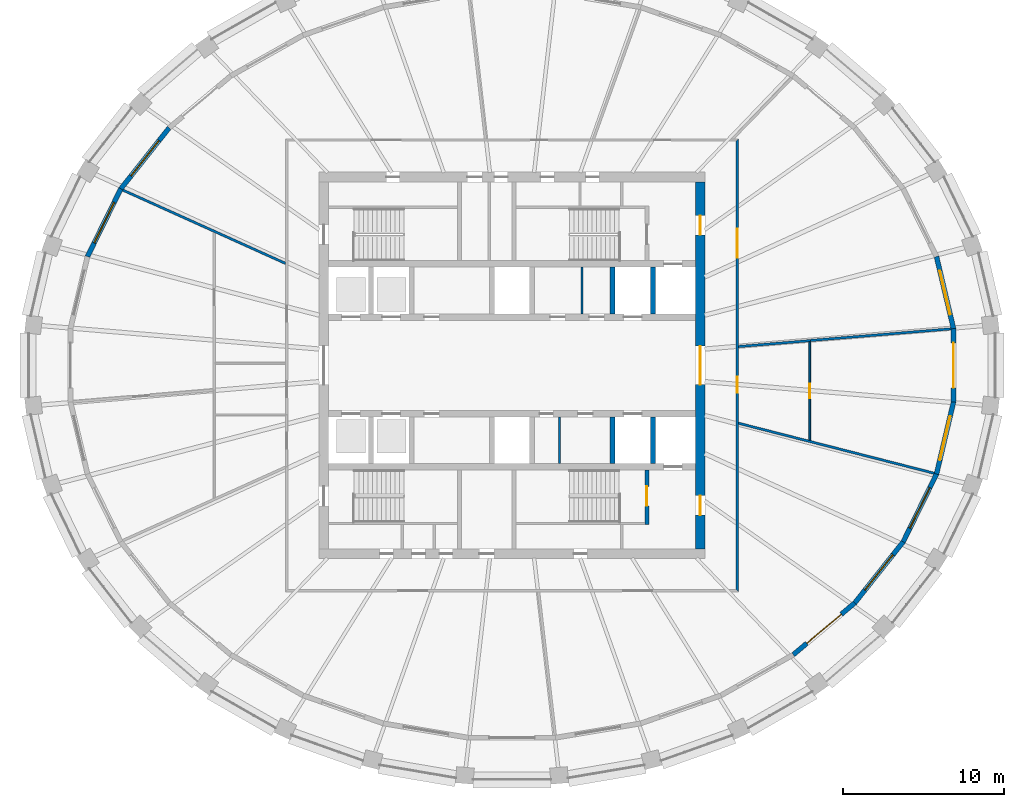
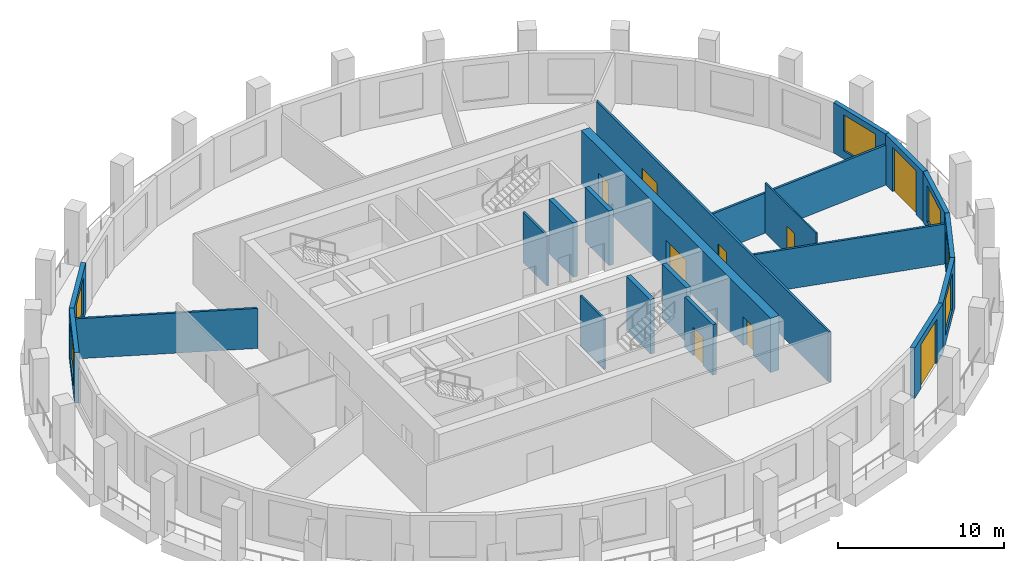
# One storey, part 5 of 10: 22 walls, 9 doors, 6 windows, 15 openings.
"""IFC4 building model written with IfcOpenShell, lengths in metres."""

from ifc_helpers import new_model, si_unit, direction, frame, frame_2d, origin, place, context, subcontext, project, spatial, polyline, rectangle, outline, extrude, material, layer, layer_set, type_object, element, fill, save


model = new_model("IFC4")

# Units and contexts
model_context = context("Model", 3, precision=1e-05, world=origin(), true_north=direction((0.0, 1.0)))
body_context = subcontext(model_context, "Body", "Model", "MODEL_VIEW")
ifc_project = project(units=[si_unit("LENGTHUNIT", "METRE"), si_unit("AREAUNIT", "SQUARE_METRE"), si_unit("VOLUMEUNIT", "CUBIC_METRE"), si_unit("PLANEANGLEUNIT", "RADIAN"), si_unit("MASSUNIT", "GRAM", prefix="KILO")], contexts=[model_context])

# Site, building, storey
site_placement = place(None, origin())
site = spatial("IfcSite", under=ifc_project, at=site_placement, CompositionType="ELEMENT")
building_placement = place(site_placement, origin())
building = spatial("IfcBuilding", under=site, at=building_placement, Name="Halqa Exchange Tower", CompositionType="ELEMENT")
storey_placement = place(building_placement, frame((0.0, 0.0, 264.300048828125)))
storey = spatial("IfcBuildingStorey", under=building, at=storey_placement, Name="L61", CompositionType="ELEMENT", Elevation=264.300048828125)

# Wall
ifc_material_1 = material(Name="Fire-rated gypsum board")
ifc_layer_1 = layer(ifc_material_1, 0.14990234375)
ifc_layer_set_1 = layer_set([ifc_layer_1], Name="Fire-rated gypsum board")
wall_type_1 = type_object("IfcWallType", Name="Fire partition EI 60 150", PredefinedType="PARTITIONING", material=ifc_layer_set_1)
wall_1_placement = place(storey_placement, frame((-24.17626953125, 10.88671875, 0.0), z_axis=(0.0, 0.0, 1.0), x_axis=(0.911671004153, -0.410920892857, 0.0)))
element("IfcWall", 1, at=wall_1_placement, inside=storey, type_object=wall_type_1, Name="L61-PWL-002", PredefinedType="PARTITIONING", context=body_context, shape_type="SweptSolid", body=[
    extrude(outline(polyline([(0.0, -0.074951171875), (1.583984375, -0.074951171875), (3.167724609375, -0.074951171875), (4.751708984375, -0.074951171875), (6.33544921875, -0.074951171875), (6.341064453125, -0.072509765625), (6.34228515625, -0.074951171875), (7.9326171875, -0.074951171875), (9.52294921875, -0.074951171875), (11.11328125, -0.074951171875), (11.11328125, -0.073974609375), (11.09716796875, -0.038330078125), (11.09716796875, -0.038330078125), (11.046142578125, 0.074951171875), (9.20849609375, 0.074951171875), (7.37109375, 0.074951171875), (5.533447265625, 0.074951171875), (3.69580078125, 0.074951171875), (1.8583984375, 0.074951171875), (0.020751953125, 0.074951171875), (0.002197265625, 0.0009765625), (0.0, -0.0625), (0.0, -0.074951171875)])), origin(), (0.0, 0.0, 1.0), 2.947021484375),
])

# Wall, openings, doors
wall_2_placement = place(storey_placement, frame((14.0, -14.074951171875, 0.0), z_axis=(0.0, 0.0, 1.0), x_axis=(0.0, 1.0, 0.0)))
wall_2 = element("IfcWall", 2, at=wall_2_placement, inside=storey, type_object=wall_type_1, Name="L61-PWL-017", PredefinedType="PARTITIONING", context=body_context, shape_type="SweptSolid", body=[
    extrude(outline(polyline([(0.0, -0.074951171875), (1.876708984375, -0.074951171875), (3.75341796875, -0.074951171875), (5.6298828125, -0.074951171875), (7.506591796875, -0.074951171875), (9.38330078125, -0.074951171875), (11.260009765625, -0.074951171875), (13.13671875, -0.074951171875), (15.01318359375, -0.074951171875), (16.889892578125, -0.074951171875), (18.7666015625, -0.074951171875), (20.643310546875, -0.074951171875), (22.52001953125, -0.074951171875), (24.396484375, -0.074951171875), (26.273193359375, -0.074951171875), (28.14990234375, -0.074951171875), (28.0, 0.074951171875), (26.0107421875, 0.074951171875), (24.021484375, 0.074951171875), (22.0322265625, 0.074951171875), (20.042724609375, 0.074951171875), (18.053466796875, 0.074951171875), (16.064208984375, 0.074951171875), (14.074951171875, 0.074951171875), (12.085693359375, 0.074951171875), (10.096435546875, 0.074951171875), (8.107177734375, 0.074951171875), (6.11767578125, 0.074951171875), (4.12841796875, 0.074951171875), (2.13916015625, 0.074951171875), (0.14990234375, 0.074951171875), (0.0, -0.074951171875)])), origin(), (0.0, 0.0, 1.0), 3.699951171875),
])
opening_1_placement = place(wall_2_placement, frame((12.364990234375, 0.0, 0.0)))
opening_1 = element("IfcOpeningElement", 3, at=opening_1_placement, cuts=wall_2, Name="Opening 18-02", PredefinedType="OPENING", context=body_context, shape_type="SweptSolid", body=[
    extrude(rectangle(XDim=1.0, YDim=2.10009765625, at=frame_2d((0.5, 1.050048828125))), frame((0.0, 0.0869140625, 0.0), z_axis=(0.0, -1.0, 0.0), x_axis=(1.0, 0.0, 0.0)), (0.0, 0.0, 1.0), 0.173828125),
])
opening_2_placement = place(wall_2_placement, frame((20.7548828125, 0.0, 0.0)))
opening_2 = element("IfcOpeningElement", 4, at=opening_2_placement, cuts=wall_2, Name="Opening 18-03", PredefinedType="OPENING", context=body_context, shape_type="SweptSolid", body=[
    extrude(rectangle(XDim=1.800048828125, YDim=2.10009765625, at=frame_2d((0.89990234375, 1.050048828125))), frame((0.0, 0.0869140625, 0.0), z_axis=(0.0, -1.0, 0.0), x_axis=(1.0, 0.0, 0.0)), (0.0, 0.0, 1.0), 0.173828125),
])
ifc_material_2 = material(Name="Steel fire door leaf", Category="steel")
door_type_1 = type_object("IfcDoorType", Name="Fire door FD30S 1000 x 2100", OperationType="SINGLE_SWING_LEFT", PredefinedType="DOOR", material=ifc_material_2)
door_1_placement = place(opening_1_placement, frame((1.0, 0.0, 0.0), z_axis=(0.0, 0.0, 1.0), x_axis=(-1.0, 0.0, 0.0)))
door_1 = element("IfcDoor", 5, at=door_1_placement, inside=storey, type_object=door_type_1, Name="L61-IDR-002", OperationType="SINGLE_SWING_RIGHT", OverallHeight=2.10009765625, OverallWidth=1.0, PredefinedType="DOOR", context=body_context, shape_type="SweptSolid", body=[
    extrude(rectangle(XDim=1.0, YDim=2.10009765625, at=frame_2d((0.5, 1.050048828125))), frame((0.0, 0.02490234375, 0.0), z_axis=(0.0, -1.0, 0.0), x_axis=(1.0, 0.0, 0.0)), (0.0, 0.0, 1.0), 0.050048828125),
])
fill(opening_1, door_1)
door_type_2 = type_object("IfcDoorType", Name="Fire door FD30S double 1800 x 2100", OperationType="DOUBLE_DOOR_SINGLE_SWING", PredefinedType="DOOR", material=ifc_material_2)
door_2_placement = place(opening_2_placement, frame((1.800048828125, 0.0, 0.0), z_axis=(0.0, 0.0, 1.0), x_axis=(-1.0, 0.0, 0.0)))
door_2 = element("IfcDoor", 6, at=door_2_placement, inside=storey, type_object=door_type_2, Name="L61-IDR-003", OperationType="DOUBLE_DOOR_SINGLE_SWING", OverallHeight=2.10009765625, OverallWidth=1.800048828125, PredefinedType="DOOR", context=body_context, shape_type="SweptSolid", body=[
    extrude(rectangle(XDim=1.800048828125, YDim=2.10009765625, at=frame_2d((0.89990234375, 1.050048828125))), frame((0.0, 0.02490234375, 0.0), z_axis=(0.0, -1.0, 0.0), x_axis=(1.0, 0.0, 0.0)), (0.0, 0.0, 1.0), 0.050048828125),
])
fill(opening_2, door_2)

# Walls
wall_3_placement = place(storey_placement, frame((14.056640625, -3.594482421875, 0.0), z_axis=(0.0, 0.0, 1.0), x_axis=(0.968853358083, -0.24763515609, 0.0)))
element("IfcWall", 7, at=wall_3_placement, inside=storey, type_object=wall_type_1, Name="L61-PWL-018", PredefinedType="PARTITIONING", context=body_context, shape_type="SweptSolid", body=[
    extrude(outline(polyline([(0.0380859375, -0.074951171875), (1.8251953125, -0.074951171875), (3.612548828125, -0.074951171875), (5.399658203125, -0.074951171875), (7.186767578125, -0.074951171875), (8.973876953125, -0.074951171875), (10.76123046875, -0.074951171875), (12.54833984375, -0.074951171875), (12.563232421875, -0.003662109375), (12.563232421875, 0.066162109375), (12.56298828125, 0.074951171875), (10.768310546875, 0.074951171875), (8.9736328125, 0.074951171875), (7.178955078125, 0.074951171875), (5.38427734375, 0.074951171875), (3.58935546875, 0.074951171875), (1.794677734375, 0.074951171875), (0.0, 0.074951171875), (0.0, 0.07421875), (0.0380859375, -0.074951171875)])), origin(), (0.0, 0.0, 1.0), 2.947021484375),
])
wall_4_placement = place(storey_placement, frame((14.0693359375, 1.165771484375, 0.0), z_axis=(0.0, 0.0, 1.0), x_axis=(0.996636539938, 0.081948808782, 0.0)))
element("IfcWall", 8, at=wall_4_placement, inside=storey, type_object=wall_type_1, Name="L61-PWL-019", PredefinedType="PARTITIONING", context=body_context, shape_type="SweptSolid", body=[
    extrude(outline(polyline([(4.49560546875, -0.074951171875), (4.49560546875, -0.0029296875), (4.49560546875, 0.074951171875), (3.0009765625, 0.074951171875), (1.50634765625, 0.074951171875), (0.011962890625, 0.074951171875), (0.0, -0.069091796875), (0.0, -0.074951171875), (1.49853515625, -0.074951171875), (2.9970703125, -0.074951171875), (4.49560546875, -0.074951171875)])), origin(), (0.0, 0.0, 1.0), 2.947021484375),
])
wall_5_placement = place(storey_placement, frame((18.549072265625, 1.5439453125, 0.0), z_axis=(0.0, 0.0, 1.0), x_axis=(0.996604371019, 0.082339101686, 0.0)))
element("IfcWall", 9, at=wall_5_placement, inside=storey, type_object=wall_type_1, Name="L61-PWL-020", PredefinedType="PARTITIONING", context=body_context, shape_type="SweptSolid", body=[
    extrude(outline(polyline([(8.7529296875, -0.074951171875), (8.7529296875, 0.0390625), (8.74755859375, 0.074951171875), (6.998046875, 0.074951171875), (5.24853515625, 0.074951171875), (3.4990234375, 0.074951171875), (1.74951171875, 0.074951171875), (0.0, 0.074951171875), (0.0, -0.074951171875), (1.75048828125, -0.074951171875), (3.501220703125, -0.074951171875), (5.251708984375, -0.074951171875), (7.00244140625, -0.074951171875), (8.7529296875, -0.074951171875)])), origin(), (0.0, 0.0, 1.0), 2.947021484375),
])

# Wall, opening, door
ifc_material_3 = material(Name="Gypsum board")
ifc_layer_2 = layer(ifc_material_3, 0.10009765625)
ifc_layer_set_2 = layer_set([ifc_layer_2], Name="Gypsum board")
wall_type_2 = type_object("IfcWallType", Name="Partition 100 gypsum", PredefinedType="PARTITIONING", material=ifc_layer_set_2)
wall_6_placement = place(storey_placement, frame((18.5, 1.45849609375, 0.0), z_axis=(0.0, 0.0, 1.0), x_axis=(0.0, -1.0, 0.0)))
wall_6 = element("IfcWall", 10, at=wall_6_placement, inside=storey, type_object=wall_type_2, Name="L61-PWL-021", PredefinedType="PARTITIONING", context=body_context, shape_type="SweptSolid", body=[
    extrude(outline(polyline([(0.0078125, -0.050048828125), (1.530517578125, -0.050048828125), (3.05322265625, -0.050048828125), (4.575927734375, -0.050048828125), (6.098388671875, -0.050048828125), (6.1240234375, 0.050048828125), (6.1240234375, 0.050048828125), (4.593017578125, 0.050048828125), (3.06201171875, 0.050048828125), (1.531005859375, 0.050048828125), (0.0, 0.050048828125), (0.0, 0.046142578125), (0.0078125, -0.050048828125)])), origin(), (0.0, 0.0, 1.0), 3.699951171875),
])
opening_3_placement = place(wall_6_placement, frame((2.6083984375, 0.0, 0.0)))
opening_3 = element("IfcOpeningElement", 11, at=opening_3_placement, cuts=wall_6, Name="Opening 18-11", PredefinedType="OPENING", context=body_context, shape_type="SweptSolid", body=[
    extrude(rectangle(XDim=0.89990234375, YDim=2.10009765625, at=frame_2d((0.449951171875, 1.050048828125))), frame((0.0, 0.06201171875, 0.0), z_axis=(0.0, -1.0, 0.0), x_axis=(1.0, 0.0, 0.0)), (0.0, 0.0, 1.0), 0.1240234375),
])
ifc_material_4 = material(Name="Timber door leaf", Category="wood")
door_type_3 = type_object("IfcDoorType", Name="Door 900 x 2100", OperationType="SINGLE_SWING_LEFT", PredefinedType="DOOR", material=ifc_material_4)
door_3_placement = place(opening_3_placement, frame((0.89990234375, 0.0, 0.0), z_axis=(0.0, 0.0, 1.0), x_axis=(-1.0, 0.0, 0.0)))
door_3 = element("IfcDoor", 12, at=door_3_placement, inside=storey, type_object=door_type_3, Name="L61-IDR-011", OperationType="SINGLE_SWING_LEFT", OverallHeight=2.10009765625, OverallWidth=0.89990234375, PredefinedType="DOOR", context=body_context, shape_type="SweptSolid", body=[
    extrude(rectangle(XDim=0.89990234375, YDim=2.10009765625, at=frame_2d((0.449951171875, 1.050048828125))), frame((0.0, 0.02490234375, 0.0), z_axis=(0.0, -1.0, 0.0), x_axis=(1.0, 0.0, 0.0)), (0.0, 0.0, 1.0), 0.050048828125),
])
fill(opening_3, door_3)

# Walls
ifc_layer_3 = layer(ifc_material_3, 0.14990234375)
ifc_layer_set_3 = layer_set([ifc_layer_3], Name="Gypsum board")
wall_type_3 = type_object("IfcWallType", Name="Penthouse riser wall 150 gypsum", PredefinedType="PARTITIONING", material=ifc_layer_set_3)
for number, where, z_axis, x_axis, name in (
    (13, (4.35009765625, 3.199951171875, 0.0), (0.0, 0.0, 1.0), (0.0, 1.0, 0.0), "Freed bay partition NE4.350"),
    (14, (2.949951171875, -6.10009765625, 0.0), (0.0, 0.0, 1.0), (0.0, 1.0, 0.0), "Freed bay partition SE2.950"),
):
    element("IfcWall", number, at=place(storey_placement, frame(where, z_axis=z_axis, x_axis=x_axis)), inside=storey, type_object=wall_type_3, Name=name, PredefinedType="PARTITIONING", context=body_context, shape_type="SweptSolid", body=[
        extrude(rectangle(XDim=2.900146484375, YDim=0.14990234375, at=frame_2d((1.4501953125, 0.0))), origin(), (0.0, 0.0, 1.0), 3.699951171875),
    ])
ifc_material_5 = material(Name="Concrete C60/75", Category="concrete")
ifc_layer_4 = layer(ifc_material_5, 0.300048828125)
ifc_layer_set_4 = layer_set([ifc_layer_4], Name="Concrete C60/75")
wall_type_4 = type_object("IfcWallType", Name="RC core wall 300", PredefinedType="SHEAR", material=ifc_layer_set_4)
for number, where, z_axis, x_axis, name in (
    (15, (6.25, 3.199951171875, 0.0), (0.0, 0.0, 1.0), (0.0, 1.0, 0.0), "Shaft divider N7"),
    (16, (8.75, 3.199951171875, 0.0), (0.0, 0.0, 1.0), (0.0, 1.0, 0.0), "Shaft divider N8"),
    (17, (6.25, -6.10009765625, 0.0), (0.0, 0.0, 1.0), (0.0, 1.0, 0.0), "Shaft divider S7"),
    (18, (8.75, -6.10009765625, 0.0), (0.0, 0.0, 1.0), (0.0, 1.0, 0.0), "Shaft divider S8"),
):
    element("IfcWall", number, at=place(storey_placement, frame(where, z_axis=z_axis, x_axis=x_axis)), inside=storey, type_object=wall_type_4, Name=name, PredefinedType="SHEAR", context=body_context, shape_type="SweptSolid", body=[
        extrude(rectangle(XDim=2.900146484375, YDim=0.300048828125, at=frame_2d((1.4501953125, 0.0))), origin(), (0.0, 0.0, 1.0), 4.0),
    ])

# Wall, openings, doors
ifc_layer_5 = layer(ifc_material_5, 0.60009765625)
ifc_layer_set_5 = layer_set([ifc_layer_5], Name="Concrete C60/75")
wall_type_5 = type_object("IfcWallType", Name="RC core wall 600 C60/75", PredefinedType="SHEAR", material=ifc_layer_set_5)
wall_7_placement = place(storey_placement, frame((11.699951171875, -11.39990234375, 0.0), z_axis=(0.0, 0.0, 1.0), x_axis=(0.0, 1.0, 0.0)))
wall_7 = element("IfcWall", 19, at=wall_7_placement, inside=storey, type_object=wall_type_5, Name="Core wall east", PredefinedType="SHEAR", context=body_context, shape_type="SweptSolid", body=[
    extrude(rectangle(XDim=22.7998046875, YDim=0.60009765625, at=frame_2d((11.39990234375, 0.0))), origin(), (0.0, 0.0, 1.0), 4.0),
])
opening_4_placement = place(wall_7_placement, frame((10.199951171875, 0.0, 0.0)))
opening_4 = element("IfcOpeningElement", 20, at=opening_4_placement, cuts=wall_7, Name="Opening T18-C10", PredefinedType="OPENING", context=body_context, shape_type="SweptSolid", body=[
    extrude(rectangle(XDim=2.39990234375, YDim=2.10009765625, at=frame_2d((1.199951171875, 1.050048828125))), frame((0.0, 0.31201171875, 0.0), z_axis=(0.0, -1.0, 0.0), x_axis=(1.0, 0.0, 0.0)), (0.0, 0.0, 1.0), 0.6240234375),
])
opening_5_placement = place(wall_7_placement, frame((19.5, 0.0, 0.0)))
opening_5 = element("IfcOpeningElement", 21, at=opening_5_placement, cuts=wall_7, Name="Opening T18-C15", PredefinedType="OPENING", context=body_context, shape_type="SweptSolid", body=[
    extrude(rectangle(XDim=1.199951171875, YDim=2.10009765625, at=frame_2d((0.60009765625, 1.050048828125))), frame((0.0, 0.31201171875, 0.0), z_axis=(0.0, -1.0, 0.0), x_axis=(1.0, 0.0, 0.0)), (0.0, 0.0, 1.0), 0.6240234375),
])
opening_6_placement = place(wall_7_placement, frame((2.10009765625, 0.0, 0.0)))
opening_6 = element("IfcOpeningElement", 22, at=opening_6_placement, cuts=wall_7, Name="Opening T18-C16", PredefinedType="OPENING", context=body_context, shape_type="SweptSolid", body=[
    extrude(rectangle(XDim=1.199951171875, YDim=2.10009765625, at=frame_2d((0.60009765625, 1.050048828125))), frame((0.0, 0.31201171875, 0.0), z_axis=(0.0, -1.0, 0.0), x_axis=(1.0, 0.0, 0.0)), (0.0, 0.0, 1.0), 0.6240234375),
])
door_type_4 = type_object("IfcDoorType", Name="Firefighting lobby door FD90 1200 x 2100", OperationType="SINGLE_SWING_RIGHT", PredefinedType="DOOR", material=ifc_material_2)
door_4_placement = place(opening_5_placement, origin())
door_4 = element("IfcDoor", 23, at=door_4_placement, inside=storey, type_object=door_type_4, Name="Firefighting lobby door", OperationType="SINGLE_SWING_RIGHT", OverallHeight=2.10009765625, OverallWidth=1.199951171875, PredefinedType="DOOR", context=body_context, shape_type="SweptSolid", body=[
    extrude(rectangle(XDim=1.199951171875, YDim=2.10009765625, at=frame_2d((0.60009765625, 1.050048828125))), frame((0.0, 0.02490234375, 0.0), z_axis=(0.0, -1.0, 0.0), x_axis=(1.0, 0.0, 0.0)), (0.0, 0.0, 1.0), 0.050048828125),
])
fill(opening_5, door_4)
door_5_placement = place(opening_6_placement, origin())
door_5 = element("IfcDoor", 24, at=door_5_placement, inside=storey, type_object=door_type_4, Name="Firefighting lobby door", OperationType="SINGLE_SWING_LEFT", OverallHeight=2.10009765625, OverallWidth=1.199951171875, PredefinedType="DOOR", context=body_context, shape_type="SweptSolid", body=[
    extrude(rectangle(XDim=1.199951171875, YDim=2.10009765625, at=frame_2d((0.60009765625, 1.050048828125))), frame((0.0, 0.02490234375, 0.0), z_axis=(0.0, -1.0, 0.0), x_axis=(1.0, 0.0, 0.0)), (0.0, 0.0, 1.0), 0.050048828125),
])
fill(opening_6, door_5)
door_type_5 = type_object("IfcDoorType", Name="Lobby double door FD60 2400 x 2100", OperationType="DOUBLE_DOOR_SINGLE_SWING", PredefinedType="DOOR", material=ifc_material_2)
door_6_placement = place(opening_4_placement, origin())
door_6 = element("IfcDoor", 25, at=door_6_placement, inside=storey, type_object=door_type_5, Name="Lift lobby double door", OperationType="DOUBLE_DOOR_SINGLE_SWING", OverallHeight=2.10009765625, OverallWidth=2.39990234375, PredefinedType="DOOR", context=body_context, shape_type="SweptSolid", body=[
    extrude(rectangle(XDim=2.39990234375, YDim=2.10009765625, at=frame_2d((1.199951171875, 1.050048828125))), frame((0.0, 0.02490234375, 0.0), z_axis=(0.0, -1.0, 0.0), x_axis=(1.0, 0.0, 0.0)), (0.0, 0.0, 1.0), 0.050048828125),
])
fill(opening_4, door_6)

# Wall, opening, door
ifc_material_6 = material(Name="Concrete C30/37", Category="concrete")
ifc_layer_6 = layer(ifc_material_6, 0.25)
ifc_layer_set_6 = layer_set([ifc_layer_6], Name="Concrete C30/37")
wall_type_6 = type_object("IfcWallType", Name="RC stair wall 250 C30/37", PredefinedType="SHEAR", material=ifc_layer_set_6)
wall_8_placement = place(storey_placement, frame((8.375, -9.89990234375, 0.0), z_axis=(0.0, 0.0, 1.0), x_axis=(0.0, 1.0, 0.0)))
wall_8 = element("IfcWall", 26, at=wall_8_placement, inside=storey, type_object=wall_type_6, Name="Stair ST2 east wall S", PredefinedType="SHEAR", context=body_context, shape_type="SweptSolid", body=[
    extrude(rectangle(XDim=3.39990234375, YDim=0.25, at=frame_2d((1.699951171875, 0.0))), origin(), (0.0, 0.0, 1.0), 3.699951171875),
])
opening_7_placement = place(wall_8_placement, frame((1.175048828125, 0.0, 0.0)))
opening_7 = element("IfcOpeningElement", 27, at=opening_7_placement, cuts=wall_8, Name="Opening T18-C14", PredefinedType="OPENING", context=body_context, shape_type="SweptSolid", body=[
    extrude(rectangle(XDim=1.199951171875, YDim=2.10009765625, at=frame_2d((0.60009765625, 1.050048828125))), frame((0.0, 0.136962890625, 0.0), z_axis=(0.0, -1.0, 0.0), x_axis=(1.0, 0.0, 0.0)), (0.0, 0.0, 1.0), 0.27392578125),
])
door_type_6 = type_object("IfcDoorType", Name="Stair door FD90 1200 x 2100", OperationType="SINGLE_SWING_LEFT", PredefinedType="DOOR", material=ifc_material_2)
door_7_placement = place(opening_7_placement, origin())
door_7 = element("IfcDoor", 28, at=door_7_placement, inside=storey, type_object=door_type_6, Name="Stair door ST4", OperationType="SINGLE_SWING_RIGHT", OverallHeight=2.10009765625, OverallWidth=1.199951171875, PredefinedType="DOOR", context=body_context, shape_type="SweptSolid", body=[
    extrude(rectangle(XDim=1.199951171875, YDim=2.10009765625, at=frame_2d((0.60009765625, 1.050048828125))), frame((0.0, 0.02490234375, 0.0), z_axis=(0.0, -1.0, 0.0), x_axis=(1.0, 0.0, 0.0)), (0.0, 0.0, 1.0), 0.050048828125),
])
fill(opening_7, door_7)

# Wall, opening, window
ifc_material_7 = material(Name="Limestone cladding", Category="masonry")
ifc_layer_7 = layer(ifc_material_7, 0.0400390625)
ifc_material_8 = material(Name="Ventilated cavity")
ifc_layer_8 = layer(ifc_material_8, 0.030029296875, ventilated=True)
ifc_material_9 = material(Name="Mineral wool insulation")
ifc_layer_9 = layer(ifc_material_9, 0.10009765625)
ifc_layer_10 = layer(ifc_material_6, 0.10009765625)
ifc_material_10 = material(Name="Internal plaster")
ifc_layer_11 = layer(ifc_material_10, 0.030029296875)
ifc_layer_set_7 = layer_set([ifc_layer_7, ifc_layer_8, ifc_layer_9, ifc_layer_10, ifc_layer_11], Name="Stone-faced insulated wall 300")
wall_type_7 = type_object("IfcWallType", Name="Stone-faced insulated wall 300", PredefinedType="STANDARD", material=ifc_layer_set_7)
wall_9_placement = place(storey_placement, frame((27.428466796875, 2.28125, 0.0), z_axis=(0.0, 0.0, 1.0), x_axis=(-0.229767529411, 0.973245540667, 0.0)))
wall_9 = element("IfcWall", 29, at=wall_9_placement, inside=storey, type_object=wall_type_7, Name="Glass-line wall 1", PredefinedType="STANDARD", context=body_context, shape_type="SweptSolid", body=[
    extrude(outline(polyline([(-0.017578125, -0.14990234375), (4.613525390625, -0.14990234375), (4.579833984375, 0.14990234375), (0.017578125, 0.14990234375), (-0.017578125, -0.14990234375)])), origin(), (0.0, 0.0, 1.0), 3.699951171875),
])
opening_8_placement = place(wall_9_placement, frame((0.8984375, 0.0, 0.60009765625)))
opening_8 = element("IfcOpeningElement", 30, at=opening_8_placement, cuts=wall_9, Name="Opening W-F4-01", PredefinedType="OPENING", context=body_context, shape_type="SweptSolid", body=[
    extrude(rectangle(XDim=2.800048828125, YDim=2.64990234375, at=frame_2d((1.39990234375, 1.324951171875))), frame((0.0, 0.162109375, 0.0), z_axis=(0.0, -1.0, 0.0), x_axis=(1.0, 0.0, 0.0)), (0.0, 0.0, 1.0), 0.323974609375),
])
ifc_material_11 = material(Name="Clear low-emissivity glass in aluminium frame", Category="aluminium")
window_type = type_object("IfcWindowType", Name="Fixed clear glazed window 2800 x 2650", PartitioningType="DOUBLE_PANEL_VERTICAL", PredefinedType="WINDOW", material=ifc_material_11)
window_1_placement = place(opening_8_placement, origin())
window_1 = element("IfcWindow", 31, at=window_1_placement, inside=storey, type_object=window_type, Name="Window 4", OverallHeight=2.64990234375, OverallWidth=2.800048828125, PartitioningType="DOUBLE_PANEL_VERTICAL", PredefinedType="WINDOW", context=body_context, shape_type="SweptSolid", body=[
    extrude(rectangle(XDim=2.800048828125, YDim=2.64990234375, at=frame_2d((1.39990234375, 1.324951171875))), frame((0.0, 0.030029296875, 0.0), z_axis=(0.0, -1.0, 0.0), x_axis=(1.0, 0.0, 0.0)), (0.0, 0.0, 1.0), 0.06005859375),
])
fill(opening_8, window_1)

wall_10_placement = place(storey_placement, frame((-21.296875, 14.756103515625, 0.0), z_axis=(0.0, 0.0, 1.0), x_axis=(-0.621358373565, -0.783526497063, 0.0)))
wall_10 = element("IfcWall", 32, at=wall_10_placement, inside=storey, type_object=wall_type_7, Name="Glass-line wall 13", PredefinedType="STANDARD", context=body_context, shape_type="SweptSolid", body=[
    extrude(outline(polyline([(-0.01513671875, -0.14990234375), (4.851806640625, -0.14990234375), (4.819580078125, 0.14990234375), (0.01513671875, 0.14990234375), (-0.01513671875, -0.14990234375)])), origin(), (0.0, 0.0, 1.0), 3.699951171875),
])
opening_9_placement = place(wall_10_placement, frame((1.017578125, 0.0, 0.60009765625)))
opening_9 = element("IfcOpeningElement", 33, at=opening_9_placement, cuts=wall_10, Name="Opening W-F4-13", PredefinedType="OPENING", context=body_context, shape_type="SweptSolid", body=[
    extrude(rectangle(XDim=2.800048828125, YDim=2.64990234375, at=frame_2d((1.39990234375, 1.324951171875))), frame((0.0, 0.162109375, 0.0), z_axis=(0.0, -1.0, 0.0), x_axis=(1.0, 0.0, 0.0)), (0.0, 0.0, 1.0), 0.323974609375),
])
window_2_placement = place(opening_9_placement, origin())
window_2 = element("IfcWindow", 34, at=window_2_placement, inside=storey, type_object=window_type, Name="Window 4", OverallHeight=2.64990234375, OverallWidth=2.800048828125, PartitioningType="DOUBLE_PANEL_VERTICAL", PredefinedType="WINDOW", context=body_context, shape_type="SweptSolid", body=[
    extrude(rectangle(XDim=2.800048828125, YDim=2.64990234375, at=frame_2d((1.39990234375, 1.324951171875))), frame((0.0, 0.030029296875, 0.0), z_axis=(0.0, -1.0, 0.0), x_axis=(1.0, 0.0, 0.0)), (0.0, 0.0, 1.0), 0.06005859375),
])
fill(opening_9, window_2)

wall_11_placement = place(storey_placement, frame((-24.301513671875, 10.96728515625, 0.0), z_axis=(0.0, 0.0, 1.0), x_axis=(-0.441169971308, -0.89742356578, 0.0)))
wall_11 = element("IfcWall", 35, at=wall_11_placement, inside=storey, type_object=wall_type_7, Name="Glass-line wall 14", PredefinedType="STANDARD", context=body_context, shape_type="SweptSolid", body=[
    extrude(outline(polyline([(-0.01611328125, -0.14990234375), (4.710693359375, -0.14990234375), (4.677001953125, 0.14990234375), (0.01611328125, 0.14990234375), (-0.01611328125, -0.14990234375)])), origin(), (0.0, 0.0, 1.0), 3.699951171875),
])
opening_10_placement = place(wall_11_placement, frame((0.947021484375, 0.0, 0.60009765625)))
opening_10 = element("IfcOpeningElement", 36, at=opening_10_placement, cuts=wall_11, Name="Opening W-F4-14", PredefinedType="OPENING", context=body_context, shape_type="SweptSolid", body=[
    extrude(rectangle(XDim=2.800048828125, YDim=2.64990234375, at=frame_2d((1.39990234375, 1.324951171875))), frame((0.0, 0.162109375, 0.0), z_axis=(0.0, -1.0, 0.0), x_axis=(1.0, 0.0, 0.0)), (0.0, 0.0, 1.0), 0.323974609375),
])
window_3_placement = place(opening_10_placement, origin())
window_3 = element("IfcWindow", 37, at=window_3_placement, inside=storey, type_object=window_type, Name="Window 4", OverallHeight=2.64990234375, OverallWidth=2.800048828125, PartitioningType="DOUBLE_PANEL_VERTICAL", PredefinedType="WINDOW", context=body_context, shape_type="SweptSolid", body=[
    extrude(rectangle(XDim=2.800048828125, YDim=2.64990234375, at=frame_2d((1.39990234375, 1.324951171875))), frame((0.0, 0.030029296875, 0.0), z_axis=(0.0, -1.0, 0.0), x_axis=(1.0, 0.0, 0.0)), (0.0, 0.0, 1.0), 0.06005859375),
])
fill(opening_10, window_3)

# Wall, opening, door
wall_12_placement = place(storey_placement, frame((17.474853515625, -17.976318359375, 0.0), z_axis=(0.0, 0.0, 1.0), x_axis=(0.764746492461, 0.644331283013, 0.0)))
wall_12 = element("IfcWall", 38, at=wall_12_placement, inside=storey, type_object=wall_type_7, Name="Glass-line wall 28", PredefinedType="STANDARD", context=body_context, shape_type="SweptSolid", body=[
    extrude(outline(polyline([(-0.01416015625, -0.14990234375), (5.012939453125, -0.14990234375), (4.982666015625, 0.14990234375), (0.01416015625, 0.14990234375), (-0.01416015625, -0.14990234375)])), origin(), (0.0, 0.0, 1.0), 3.699951171875),
])
opening_11_placement = place(wall_12_placement, frame((1.098876953125, 0.0, 0.0)))
opening_11 = element("IfcOpeningElement", 39, at=opening_11_placement, cuts=wall_12, Name="Opening LG-F4-07", PredefinedType="OPENING", context=body_context, shape_type="SweptSolid", body=[
    extrude(rectangle(XDim=2.800048828125, YDim=3.25, at=frame_2d((1.39990234375, 1.625))), frame((0.0, 0.162109375, 0.0), z_axis=(0.0, -1.0, 0.0), x_axis=(1.0, 0.0, 0.0)), (0.0, 0.0, 1.0), 0.323974609375),
])
door_type_7 = type_object("IfcDoorType", Name="Glazed sliding loggia door 2800 x 3250", OperationType="DOUBLE_DOOR_SLIDING", PredefinedType="DOOR", material=ifc_material_11)
door_8_placement = place(opening_11_placement, origin())
door_8 = element("IfcDoor", 40, at=door_8_placement, inside=storey, type_object=door_type_7, Name="Loggia door 7", OperationType="DOUBLE_DOOR_SLIDING", OverallHeight=3.25, OverallWidth=2.800048828125, PredefinedType="DOOR", context=body_context, shape_type="SweptSolid", body=[
    extrude(rectangle(XDim=2.800048828125, YDim=3.25, at=frame_2d((1.39990234375, 1.625))), frame((0.0, 0.02490234375, 0.0), z_axis=(0.0, -1.0, 0.0), x_axis=(1.0, 0.0, 0.0)), (0.0, 0.0, 1.0), 0.050048828125),
])
fill(opening_11, door_8)

# Wall, opening, window
wall_13_placement = place(storey_placement, frame((21.296875, -14.756103515625, 0.0), z_axis=(0.0, 0.0, 1.0), x_axis=(0.621358373565, 0.783526497063, 0.0)))
wall_13 = element("IfcWall", 41, at=wall_13_placement, inside=storey, type_object=wall_type_7, Name="Glass-line wall 29", PredefinedType="STANDARD", context=body_context, shape_type="SweptSolid", body=[
    extrude(outline(polyline([(-0.01513671875, -0.14990234375), (4.851806640625, -0.14990234375), (4.819580078125, 0.14990234375), (0.01513671875, 0.14990234375), (-0.01513671875, -0.14990234375)])), origin(), (0.0, 0.0, 1.0), 3.699951171875),
])
opening_12_placement = place(wall_13_placement, frame((1.017578125, 0.0, 0.60009765625)))
opening_12 = element("IfcOpeningElement", 42, at=opening_12_placement, cuts=wall_13, Name="Opening W-F4-29", PredefinedType="OPENING", context=body_context, shape_type="SweptSolid", body=[
    extrude(rectangle(XDim=2.800048828125, YDim=2.64990234375, at=frame_2d((1.39990234375, 1.324951171875))), frame((0.0, 0.162109375, 0.0), z_axis=(0.0, -1.0, 0.0), x_axis=(1.0, 0.0, 0.0)), (0.0, 0.0, 1.0), 0.323974609375),
])
window_4_placement = place(opening_12_placement, origin())
window_4 = element("IfcWindow", 43, at=window_4_placement, inside=storey, type_object=window_type, Name="Window 4", OverallHeight=2.64990234375, OverallWidth=2.800048828125, PartitioningType="DOUBLE_PANEL_VERTICAL", PredefinedType="WINDOW", context=body_context, shape_type="SweptSolid", body=[
    extrude(rectangle(XDim=2.800048828125, YDim=2.64990234375, at=frame_2d((1.39990234375, 1.324951171875))), frame((0.0, 0.030029296875, 0.0), z_axis=(0.0, -1.0, 0.0), x_axis=(1.0, 0.0, 0.0)), (0.0, 0.0, 1.0), 0.06005859375),
])
fill(opening_12, window_4)

wall_14_placement = place(storey_placement, frame((24.301513671875, -10.96728515625, 0.0), z_axis=(0.0, 0.0, 1.0), x_axis=(0.441169971308, 0.89742356578, 0.0)))
wall_14 = element("IfcWall", 44, at=wall_14_placement, inside=storey, type_object=wall_type_7, Name="Glass-line wall 30", PredefinedType="STANDARD", context=body_context, shape_type="SweptSolid", body=[
    extrude(outline(polyline([(-0.01611328125, -0.14990234375), (4.710693359375, -0.14990234375), (4.677001953125, 0.14990234375), (0.01611328125, 0.14990234375), (-0.01611328125, -0.14990234375)])), origin(), (0.0, 0.0, 1.0), 3.699951171875),
])
opening_13_placement = place(wall_14_placement, frame((0.947021484375, 0.0, 0.60009765625)))
opening_13 = element("IfcOpeningElement", 45, at=opening_13_placement, cuts=wall_14, Name="Opening W-F4-30", PredefinedType="OPENING", context=body_context, shape_type="SweptSolid", body=[
    extrude(rectangle(XDim=2.800048828125, YDim=2.64990234375, at=frame_2d((1.39990234375, 1.324951171875))), frame((0.0, 0.162109375, 0.0), z_axis=(0.0, -1.0, 0.0), x_axis=(1.0, 0.0, 0.0)), (0.0, 0.0, 1.0), 0.323974609375),
])
window_5_placement = place(opening_13_placement, origin())
window_5 = element("IfcWindow", 46, at=window_5_placement, inside=storey, type_object=window_type, Name="Window 4", OverallHeight=2.64990234375, OverallWidth=2.800048828125, PartitioningType="DOUBLE_PANEL_VERTICAL", PredefinedType="WINDOW", context=body_context, shape_type="SweptSolid", body=[
    extrude(rectangle(XDim=2.800048828125, YDim=2.64990234375, at=frame_2d((1.39990234375, 1.324951171875))), frame((0.0, 0.030029296875, 0.0), z_axis=(0.0, -1.0, 0.0), x_axis=(1.0, 0.0, 0.0)), (0.0, 0.0, 1.0), 0.06005859375),
])
fill(opening_13, window_5)

wall_15_placement = place(storey_placement, frame((26.372314453125, -6.7548828125, 0.0), z_axis=(0.0, 0.0, 1.0), x_axis=(0.229767529411, 0.973245540667, 0.0)))
wall_15 = element("IfcWall", 47, at=wall_15_placement, inside=storey, type_object=wall_type_7, Name="Glass-line wall 31", PredefinedType="STANDARD", context=body_context, shape_type="SweptSolid", body=[
    extrude(outline(polyline([(-0.016845703125, -0.14990234375), (4.6142578125, -0.14990234375), (4.5791015625, 0.14990234375), (0.016845703125, 0.14990234375), (-0.016845703125, -0.14990234375)])), origin(), (0.0, 0.0, 1.0), 3.699951171875),
])
opening_14_placement = place(wall_15_placement, frame((0.8984375, 0.0, 0.60009765625)))
opening_14 = element("IfcOpeningElement", 48, at=opening_14_placement, cuts=wall_15, Name="Opening W-F4-31", PredefinedType="OPENING", context=body_context, shape_type="SweptSolid", body=[
    extrude(rectangle(XDim=2.800048828125, YDim=2.64990234375, at=frame_2d((1.39990234375, 1.324951171875))), frame((0.0, 0.162109375, 0.0), z_axis=(0.0, -1.0, 0.0), x_axis=(1.0, 0.0, 0.0)), (0.0, 0.0, 1.0), 0.323974609375),
])
window_6_placement = place(opening_14_placement, origin())
window_6 = element("IfcWindow", 49, at=window_6_placement, inside=storey, type_object=window_type, Name="Window 4", OverallHeight=2.64990234375, OverallWidth=2.800048828125, PartitioningType="DOUBLE_PANEL_VERTICAL", PredefinedType="WINDOW", context=body_context, shape_type="SweptSolid", body=[
    extrude(rectangle(XDim=2.800048828125, YDim=2.64990234375, at=frame_2d((1.39990234375, 1.324951171875))), frame((0.0, 0.030029296875, 0.0), z_axis=(0.0, -1.0, 0.0), x_axis=(1.0, 0.0, 0.0)), (0.0, 0.0, 1.0), 0.06005859375),
])
fill(opening_14, window_6)

# Wall, opening, door
wall_16_placement = place(storey_placement, frame((27.428466796875, -2.28125, 0.0), z_axis=(0.0, 0.0, 1.0), x_axis=(0.0, 1.0, 0.0)))
wall_16 = element("IfcWall", 50, at=wall_16_placement, inside=storey, type_object=wall_type_7, Name="Glass-line wall 32", PredefinedType="STANDARD", context=body_context, shape_type="SweptSolid", body=[
    extrude(outline(polyline([(-0.017578125, -0.14990234375), (4.580078125, -0.14990234375), (4.544921875, 0.14990234375), (0.017578125, 0.14990234375), (-0.017578125, -0.14990234375)])), origin(), (0.0, 0.0, 1.0), 3.699951171875),
])
opening_15_placement = place(wall_16_placement, frame((0.881103515625, 0.0, 0.0)))
opening_15 = element("IfcOpeningElement", 51, at=opening_15_placement, cuts=wall_16, Name="Opening LG-F4-08", PredefinedType="OPENING", context=body_context, shape_type="SweptSolid", body=[
    extrude(rectangle(XDim=2.800048828125, YDim=3.25, at=frame_2d((1.39990234375, 1.625))), frame((0.0, 0.162109375, 0.0), z_axis=(0.0, -1.0, 0.0), x_axis=(1.0, 0.0, 0.0)), (0.0, 0.0, 1.0), 0.323974609375),
])
door_9_placement = place(opening_15_placement, origin())
door_9 = element("IfcDoor", 52, at=door_9_placement, inside=storey, type_object=door_type_7, Name="Loggia door 8", OperationType="DOUBLE_DOOR_SLIDING", OverallHeight=3.25, OverallWidth=2.800048828125, PredefinedType="DOOR", context=body_context, shape_type="SweptSolid", body=[
    extrude(rectangle(XDim=2.800048828125, YDim=3.25, at=frame_2d((1.39990234375, 1.625))), frame((0.0, 0.02490234375, 0.0), z_axis=(0.0, -1.0, 0.0), x_axis=(1.0, 0.0, 0.0)), (0.0, 0.0, 1.0), 0.050048828125),
])
fill(opening_15, door_9)

save(model, "model.ifc")
